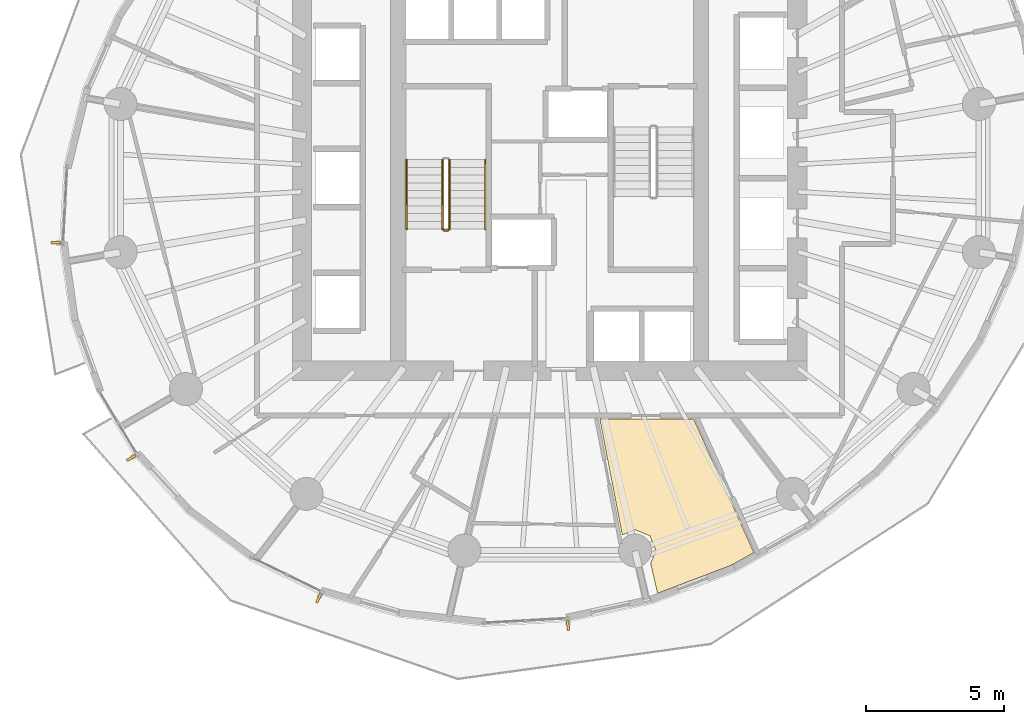
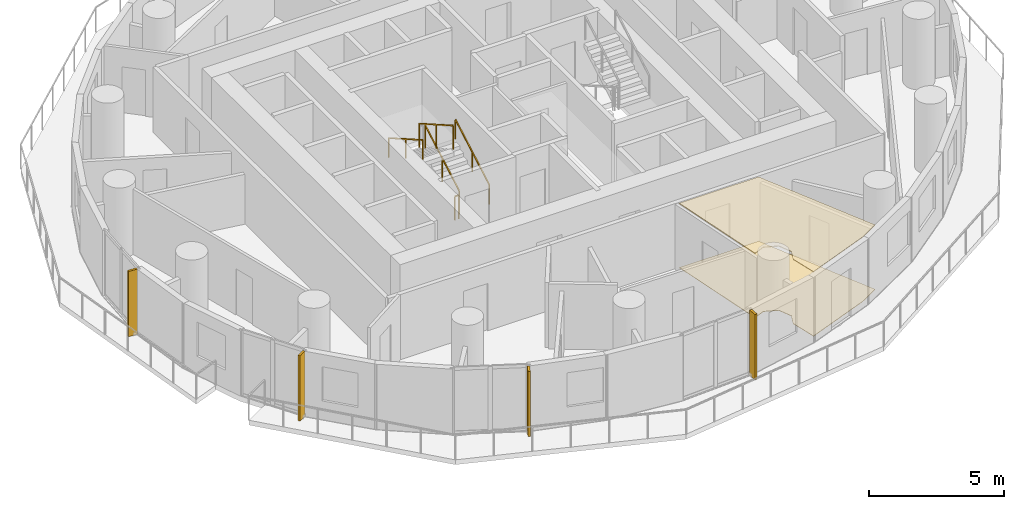
# One storey, part 11 of 15: 5 railings, 4 shading devices, 2 coverings.
"""IFC4 building model written with IfcOpenShell, lengths in metres."""

from ifc_helpers import new_model, si_unit, direction, frame, origin, origin_2d, place, context, subcontext, project, spatial, polyline, rectangle, outline, extrude, material, layer, layer_set, type_object, element, save


model = new_model("IFC4")

# Units and contexts
model_context = context("Model", 3, precision=1e-05, world=origin(), true_north=direction((0.0, 1.0)))
body_context = subcontext(model_context, "Body", "Model", "MODEL_VIEW")
ifc_project = project(units=[si_unit("LENGTHUNIT", "METRE"), si_unit("AREAUNIT", "SQUARE_METRE"), si_unit("VOLUMEUNIT", "CUBIC_METRE"), si_unit("PLANEANGLEUNIT", "RADIAN"), si_unit("MASSUNIT", "GRAM", prefix="KILO")], contexts=[model_context])

# Site, building, storey
site_placement = place(None, origin())
site = spatial("IfcSite", under=ifc_project, at=site_placement, CompositionType="ELEMENT")
building_placement = place(site_placement, origin())
building = spatial("IfcBuilding", under=site, at=building_placement, Name="Veldorim Arch Residences", CompositionType="ELEMENT")
storey_placement = place(building_placement, frame((0.0, 0.0, 102.8798828125)))
storey = spatial("IfcBuildingStorey", under=building, at=storey_placement, Name="L30", CompositionType="ELEMENT", Elevation=102.8798828125)

# Railings
ifc_material_1 = material(Name="Steel S355", Category="steel")
railing_type_1 = type_object("IfcRailingType", Name="Galvanised Steel Stair Safety Guardrail 1100", PredefinedType="GUARDRAIL", material=ifc_material_1)
railing_1_placement = place(storey_placement, frame((28.360107421875, 22.14990234375, 0.16015625)))
element("IfcRailing", 1, at=railing_1_placement, inside=storey, type_object=railing_type_1, Name="L30 ST-1 stair guard 1", PredefinedType="GUARDRAIL", context=body_context, shape_type="SweptSolid", body=[
    extrude(rectangle(XDim=0.048095703125, YDim=0.048095703125, at=origin_2d()), frame((0.0, 0.0, 1.076171875), z_axis=(0.0, 0.868253494771, 0.496120820787), x_axis=(-1.0, 0.0, 0.0)), (0.0, 0.0, 1.0), 2.90234375),
    extrude(rectangle(XDim=0.0419921875, YDim=0.0419921875, at=origin_2d()), origin(), (0.0, 0.0, 1.0), 1.052001953125),
    extrude(rectangle(XDim=0.0419921875, YDim=0.0419921875, at=origin_2d()), frame((0.0, 1.260009765625, 0.719970703125)), (0.0, 0.0, 1.0), 1.052001953125),
    extrude(rectangle(XDim=0.0419921875, YDim=0.0419921875, at=origin_2d()), frame((0.0, 2.52001953125, 1.43994140625)), (0.0, 0.0, 1.0), 1.052001953125),
])
railing_2_placement = place(storey_placement, frame((28.10009765625, 24.669921875, 1.760009765625)))
element("IfcRailing", 2, at=railing_2_placement, inside=storey, type_object=railing_type_1, Name="L30 ST-1 stair guard 3", PredefinedType="GUARDRAIL", context=body_context, shape_type="SweptSolid", body=[
    extrude(rectangle(XDim=0.048095703125, YDim=0.048095703125, at=origin_2d()), frame((0.0, 0.0, 1.076171875), z_axis=(0.0, -0.868217259934, 0.496184229447), x_axis=(1.0, 0.0, 0.0)), (0.0, 0.0, 1.0), 2.902587890625),
    extrude(rectangle(XDim=0.0419921875, YDim=0.0419921875, at=origin_2d()), origin(), (0.0, 0.0, 1.0), 1.052001953125),
    extrude(rectangle(XDim=0.0419921875, YDim=0.0419921875, at=origin_2d()), frame((0.0, -1.260009765625, 0.72021484375)), (0.0, 0.0, 1.0), 1.052001953125),
    extrude(rectangle(XDim=0.0419921875, YDim=0.0419921875, at=origin_2d()), frame((0.0, -2.52001953125, 1.440185546875)), (0.0, 0.0, 1.0), 1.052001953125),
])
railing_3_placement = place(storey_placement, frame((28.31005859375, 22.10009765625, 0.0)))
element("IfcRailing", 3, at=railing_3_placement, inside=storey, type_object=railing_type_1, Name="L30 ST-1 stair guard 4", PredefinedType="GUARDRAIL", context=body_context, shape_type="SweptSolid", body=[
    extrude(rectangle(XDim=0.048095703125, YDim=0.048095703125, at=origin_2d()), frame((0.0, 0.0, 1.076171875), z_axis=(-1.0, 0.0, 0.0), x_axis=(0.0, -1.0, 0.0)), (0.0, 0.0, 1.0), 0.16015625),
    extrude(rectangle(XDim=0.0419921875, YDim=0.0419921875, at=origin_2d()), origin(), (0.0, 0.0, 1.0), 1.052001953125),
    extrude(rectangle(XDim=0.0419921875, YDim=0.0419921875, at=origin_2d()), frame((-0.16015625, 0.0, 0.0)), (0.0, 0.0, 1.0), 1.052001953125),
])

# Coverings
ifc_material_2 = material(Name="Acoustic Gypsum & Mineral Fibre", Category="gypsum")
ifc_layer_1 = layer(ifc_material_2, 0.034912109375, Name="Perforated Acoustic Mineral-Fibre Ceiling 35")
ifc_layer_set_1 = layer_set([ifc_layer_1], Name="Acoustic Gypsum & Mineral Fibre")
covering_type_1 = type_object("IfcCoveringType", Name="Perforated Acoustic Mineral-Fibre Ceiling 35", PredefinedType="CEILING", material=ifc_layer_set_1)
covering_1_placement = place(storey_placement, frame((0.0, 0.0, 2.905029296875)))
element("IfcCovering", 4, at=covering_1_placement, inside=storey, type_object=covering_type_1, Name="L30 acoustic suspended ceiling 02", PredefinedType="CEILING", context=body_context, shape_type="SweptSolid", body=[
    extrude(outline(polyline([(33.820068359375, 15.25), (37.226318359375, 15.25), (39.418701171875, 10.39453125), (38.6162109375, 9.939697265625), (35.91943359375, 8.912109375), (35.669921875, 10.001708984375), (35.86181640625, 10.465087890625), (35.63916015625, 11.00244140625), (35.101806640625, 11.22509765625), (34.63818359375, 11.033203125), (33.820068359375, 15.25)])), origin(), (0.0, 0.0, 1.0), 0.03515625),
])
ifc_material_3 = material(Name="Porcelain Ceramic Tile", Category="ceramic")
ifc_layer_2 = layer(ifc_material_3, 0.02001953125, Name="Slip-Resistant Porcelain & Vinyl Floor Finish 20")
ifc_layer_set_2 = layer_set([ifc_layer_2], Name="Porcelain Ceramic Tile")
covering_type_2 = type_object("IfcCoveringType", Name="Slip-Resistant Porcelain & Vinyl Floor Finish 20", PredefinedType="FLOORING", material=ifc_layer_set_2)
covering_2_placement = place(storey_placement, origin())
element("IfcCovering", 5, at=covering_2_placement, inside=storey, type_object=covering_type_2, Name="L30 porcelain floor finish 02", PredefinedType="FLOORING", context=body_context, shape_type="SweptSolid", body=[
    extrude(outline(polyline([(33.820068359375, 15.25), (37.226318359375, 15.25), (39.418701171875, 10.39453125), (38.6162109375, 9.939697265625), (35.91943359375, 8.912109375), (35.669921875, 10.001708984375), (35.86181640625, 10.465087890625), (35.63916015625, 11.00244140625), (35.101806640625, 11.22509765625), (34.63818359375, 11.033203125), (33.820068359375, 15.25)])), origin(), (0.0, 0.0, 1.0), 0.02001953125),
])

# Railings
ifc_material_4 = material(Name="Stainless Steel", Category="steel")
railing_type_2 = type_object("IfcRailingType", Name="Tubular Steel Continuous Wall Handrail 900", PredefinedType="HANDRAIL", material=ifc_material_4)
railing_4_placement = place(storey_placement, frame((29.659912109375, 22.14990234375, 0.16015625)))
element("IfcRailing", 6, at=railing_4_placement, inside=storey, type_object=railing_type_2, Name="L30 ST-1 stair handrail 1", PredefinedType="HANDRAIL", context=body_context, shape_type="SweptSolid", body=[
    extrude(rectangle(XDim=0.048095703125, YDim=0.048095703125, at=origin_2d()), frame((0.0, 0.0, 0.8759765625), z_axis=(0.0, 0.868253494771, 0.496120820787), x_axis=(-1.0, 0.0, 0.0)), (0.0, 0.0, 1.0), 2.90234375),
    extrude(rectangle(XDim=0.0419921875, YDim=0.0419921875, at=origin_2d()), origin(), (0.0, 0.0, 1.0), 0.851806640625),
    extrude(rectangle(XDim=0.0419921875, YDim=0.0419921875, at=origin_2d()), frame((0.0, 1.260009765625, 0.719970703125)), (0.0, 0.0, 1.0), 0.851806640625),
    extrude(rectangle(XDim=0.0419921875, YDim=0.0419921875, at=origin_2d()), frame((0.0, 2.52001953125, 1.43994140625)), (0.0, 0.0, 1.0), 0.851806640625),
])
railing_5_placement = place(storey_placement, frame((26.800048828125, 24.669921875, 1.760009765625)))
element("IfcRailing", 7, at=railing_5_placement, inside=storey, type_object=railing_type_2, Name="L30 ST-1 stair handrail 2", PredefinedType="HANDRAIL", context=body_context, shape_type="SweptSolid", body=[
    extrude(rectangle(XDim=0.048095703125, YDim=0.048095703125, at=origin_2d()), frame((0.0, 0.0, 0.8759765625), z_axis=(0.0, -0.868217259934, 0.496184229447), x_axis=(1.0, 0.0, 0.0)), (0.0, 0.0, 1.0), 2.902587890625),
    extrude(rectangle(XDim=0.0419921875, YDim=0.0419921875, at=origin_2d()), origin(), (0.0, 0.0, 1.0), 0.851806640625),
    extrude(rectangle(XDim=0.0419921875, YDim=0.0419921875, at=origin_2d()), frame((0.0, -1.260009765625, 0.72021484375)), (0.0, 0.0, 1.0), 0.851806640625),
    extrude(rectangle(XDim=0.0419921875, YDim=0.0419921875, at=origin_2d()), frame((0.0, -2.52001953125, 1.440185546875)), (0.0, 0.0, 1.0), 0.851806640625),
])

# Shading devices
ifc_material_5 = material(Name="Terracotta Ceramic", Category="masonry")
ifc_layer_3 = layer(ifc_material_5, 0.090087890625, Name="Vertical Extruded Terracotta Baguette Sun-Shading Fin")
ifc_layer_set_3 = layer_set([ifc_layer_3], Name="Terracotta Ceramic")
shading_device_type = type_object("IfcShadingDeviceType", Name="Vertical Extruded Terracotta Baguette Sun-Shading Fin", PredefinedType="USERDEFINED", material=ifc_layer_set_3)
for number, where, z_axis, x_axis, name in (
    (8, (14.058837890625, 21.649169921875, 0.000244140625), (0.0, 0.0, 1.0), (0.053033118368, 0.998592754007, 0.0), "L30 vertical terracotta sun-shading fin 16"),
    (9, (16.790283203125, 13.82763671875, 0.000244140625), (0.0, 0.0, 1.0), (-0.514439533782, 0.857526656194, 0.0), "L30 vertical terracotta sun-shading fin 19"),
    (10, (23.606689453125, 8.73779296875, 0.000244140625), (0.0, 0.0, 1.0), (-0.899481528961, 0.436958784165, 0.0), "L30 vertical terracotta sun-shading fin 22"),
    (11, (32.666015625, 7.74658203125, 0.000244140625), (0.0, 0.0, 1.0), (-0.998479491627, -0.055124448298, 0.0), "L30 vertical terracotta sun-shading fin 25"),
):
    element("IfcShadingDevice", number, at=place(storey_placement, frame(where, z_axis=z_axis, x_axis=x_axis)), inside=storey, type_object=shading_device_type, Name=name, ObjectType="FIN", PredefinedType="USERDEFINED", context=body_context, shape_type="SweptSolid", body=[
        extrude(rectangle(XDim=0.090087890625, YDim=0.360107421875, at=origin_2d()), origin(), (0.0, 0.0, 1.0), 2.9599609375),
    ])

save(model, "model.ifc")
